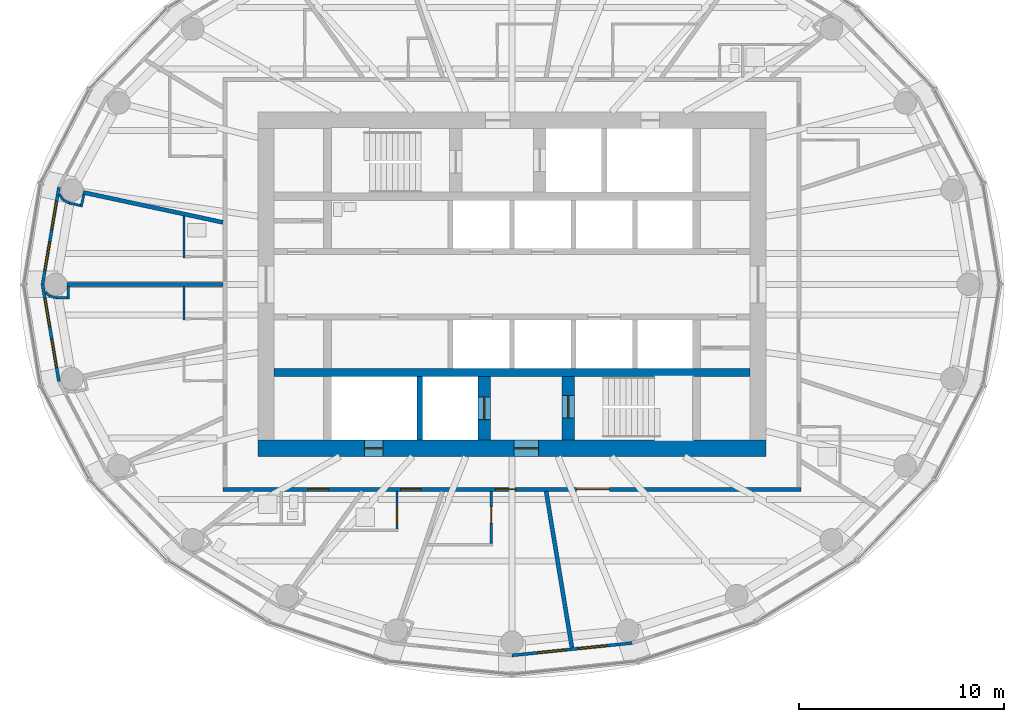
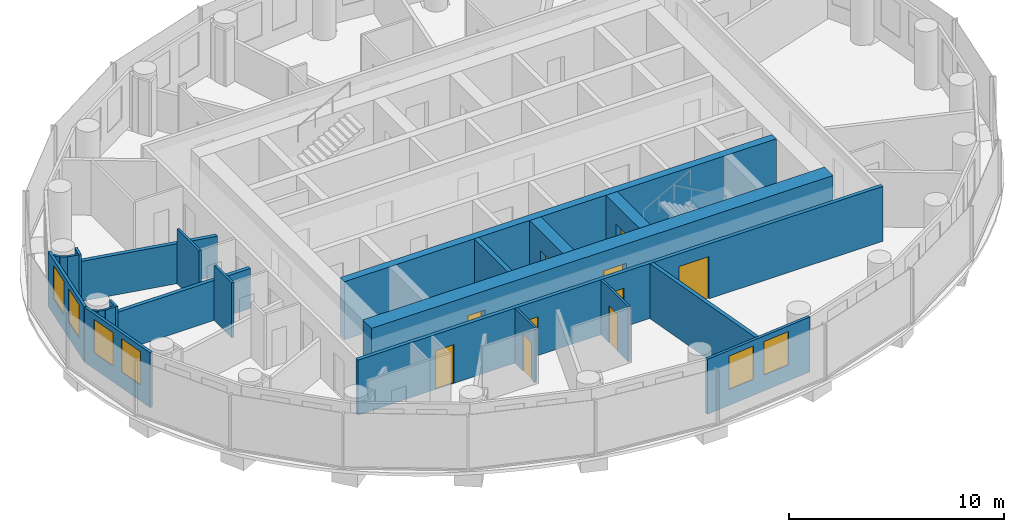
# One storey, part 8 of 16: 24 walls, 10 doors, 6 windows, 16 openings.
"""IFC4 building model written with IfcOpenShell, lengths in metres."""

from ifc_helpers import new_model, si_unit, direction, frame, frame_2d, origin, place, context, subcontext, project, spatial, rectangle, extrude, material, layer, layer_set, type_object, element, fill, save


model = new_model("IFC4")

# Units and contexts
model_context = context("Model", 3, precision=1e-05, world=origin(), true_north=direction((0.0, 1.0)))
body_context = subcontext(model_context, "Body", "Model", "MODEL_VIEW")
ifc_project = project(units=[si_unit("LENGTHUNIT", "METRE"), si_unit("AREAUNIT", "SQUARE_METRE"), si_unit("VOLUMEUNIT", "CUBIC_METRE"), si_unit("PLANEANGLEUNIT", "RADIAN"), si_unit("MASSUNIT", "GRAM", prefix="KILO")], contexts=[model_context])

# Site, building, storey
site_placement = place(None, origin())
site = spatial("IfcSite", under=ifc_project, at=site_placement, CompositionType="ELEMENT")
building_placement = place(site_placement, origin())
building = spatial("IfcBuilding", under=site, at=building_placement, Name="Hankou Lantern Tower", CompositionType="ELEMENT")
storey_placement = place(building_placement, frame((0.0, 0.0, 143.39990234375)))
storey = spatial("IfcBuildingStorey", under=building, at=storey_placement, Name="L37", CompositionType="ELEMENT", Elevation=143.39990234375)

# Wall, openings, doors
ifc_material_1 = material(Name="Concrete C60", Category="concrete")
ifc_layer_1 = layer(ifc_material_1, 0.800048828125)
ifc_layer_set_1 = layer_set([ifc_layer_1], Name="Concrete C60")
wall_type_1 = type_object("IfcWallType", Name="CW2 CORE WALL 800", PredefinedType="SHEAR", material=ifc_layer_set_1)
wall_1_placement = place(storey_placement, frame((12.39990234375, -8.0, 0.0), z_axis=(0.0, 0.0, 1.0), x_axis=(-1.0, 0.0, 0.0)))
wall_1 = element("IfcWall", 1, at=wall_1_placement, inside=storey, type_object=wall_type_1, Name="Core wall south L37", PredefinedType="SHEAR", context=body_context, shape_type="SweptSolid", body=[
    extrude(rectangle(XDim=24.7998046875, YDim=0.800048828125, at=frame_2d((12.39990234375, 0.0))), origin(), (0.0, 0.0, 1.0), 3.300048828125),
])
opening_1_placement = place(wall_1_placement, frame((11.10009765625, 0.0, 0.0)))
opening_1 = element("IfcOpeningElement", 2, at=opening_1_placement, cuts=wall_1, Name="Opening D5", PredefinedType="OPENING", context=body_context, shape_type="SweptSolid", body=[
    extrude(rectangle(XDim=1.199951171875, YDim=2.199951171875, at=frame_2d((0.60009765625, 1.10009765625))), frame((0.0, 0.409912109375, 0.0), z_axis=(0.0, -1.0, 0.0), x_axis=(1.0, 0.0, 0.0)), (0.0, 0.0, 1.0), 0.820068359375),
])
opening_2_placement = place(wall_1_placement, frame((18.699951171875, 0.0, 0.0)))
opening_2 = element("IfcOpeningElement", 3, at=opening_2_placement, cuts=wall_1, Name="Opening D7", PredefinedType="OPENING", context=body_context, shape_type="SweptSolid", body=[
    extrude(rectangle(XDim=0.89990234375, YDim=2.199951171875, at=frame_2d((0.449951171875, 1.10009765625))), frame((0.0, 0.409912109375, 0.0), z_axis=(0.0, -1.0, 0.0), x_axis=(1.0, 0.0, 0.0)), (0.0, 0.0, 1.0), 0.820068359375),
])
ifc_material_2 = material(Name="Steel door leaf", Category="steel")
door_type_1 = type_object("IfcDoorType", Name="D5 STAIR LOBBY DOOR 1200X2200", OperationType="SINGLE_SWING_LEFT", PredefinedType="DOOR", material=ifc_material_2)
door_1_placement = place(opening_1_placement, origin())
door_1 = element("IfcDoor", 4, at=door_1_placement, inside=storey, type_object=door_type_1, Name="Stair B lobby door", OperationType="SINGLE_SWING_LEFT", OverallHeight=2.199951171875, OverallWidth=1.199951171875, PredefinedType="DOOR", context=body_context, shape_type="SweptSolid", body=[
    extrude(rectangle(XDim=1.199951171875, YDim=2.199951171875, at=frame_2d((0.60009765625, 1.10009765625))), frame((0.0, 0.02490234375, 0.0), z_axis=(0.0, -1.0, 0.0), x_axis=(1.0, 0.0, 0.0)), (0.0, 0.0, 1.0), 0.050048828125),
])
fill(opening_1, door_1)
ifc_material_3 = material(Name="Steel door leaf", Category="steel")
door_type_2 = type_object("IfcDoorType", Name="D7 RISER DOOR 900X2200", OperationType="SINGLE_SWING_LEFT", PredefinedType="DOOR", material=ifc_material_3)
door_2_placement = place(opening_2_placement, origin())
door_2 = element("IfcDoor", 5, at=door_2_placement, inside=storey, type_object=door_type_2, Name="Riser S1 door", OperationType="SINGLE_SWING_RIGHT", OverallHeight=2.199951171875, OverallWidth=0.89990234375, PredefinedType="DOOR", context=body_context, shape_type="SweptSolid", body=[
    extrude(rectangle(XDim=0.89990234375, YDim=2.199951171875, at=frame_2d((0.449951171875, 1.10009765625))), frame((0.0, 0.02490234375, 0.0), z_axis=(0.0, -1.0, 0.0), x_axis=(1.0, 0.0, 0.0)), (0.0, 0.0, 1.0), 0.050048828125),
])
fill(opening_2, door_2)

# Wall
ifc_material_4 = material(Name="Concrete C60", Category="concrete")
ifc_layer_2 = layer(ifc_material_4, 0.39990234375)
ifc_layer_set_2 = layer_set([ifc_layer_2], Name="Concrete C60")
wall_type_2 = type_object("IfcWallType", Name="CW4 CORE CROSS WALL 400", PredefinedType="SHEAR", material=ifc_layer_set_2)
wall_2_placement = place(storey_placement, frame((-11.60009765625, -4.300048828125, 0.0), z_axis=(0.0, 0.0, 1.0), x_axis=(1.0, 0.0, 0.0)))
element("IfcWall", 6, at=wall_2_placement, inside=storey, type_object=wall_type_2, Name="Core band wall south L37", PredefinedType="SHEAR", context=body_context, shape_type="SweptSolid", body=[
    extrude(rectangle(XDim=23.2001953125, YDim=0.39990234375, at=frame_2d((11.60009765625, 0.0))), origin(), (0.0, 0.0, 1.0), 3.300048828125),
])

# Wall, opening, door
ifc_material_5 = material(Name="Concrete C60", Category="concrete")
ifc_layer_3 = layer(ifc_material_5, 0.60009765625)
ifc_layer_set_3 = layer_set([ifc_layer_3], Name="Concrete C60")
wall_type_3 = type_object("IfcWallType", Name="CW6 STAIR AND SHAFT WALL 600", PredefinedType="SHEAR", material=ifc_layer_set_3)
wall_3_placement = place(storey_placement, frame((2.75, -7.60009765625, 0.0), z_axis=(0.0, 0.0, 1.0), x_axis=(0.0, 1.0, 0.0)))
wall_3 = element("IfcWall", 7, at=wall_3_placement, inside=storey, type_object=wall_type_3, Name="Stair wall L37", PredefinedType="SHEAR", context=body_context, shape_type="SweptSolid", body=[
    extrude(rectangle(XDim=3.10009765625, YDim=0.60009765625, at=frame_2d((1.550048828125, 0.0))), origin(), (0.0, 0.0, 1.0), 3.300048828125),
])
opening_3_placement = place(wall_3_placement, frame((1.074951171875, 0.0, 0.0)))
opening_3 = element("IfcOpeningElement", 8, at=opening_3_placement, cuts=wall_3, Name="Opening D4", PredefinedType="OPENING", context=body_context, shape_type="SweptSolid", body=[
    extrude(rectangle(XDim=1.10009765625, YDim=2.199951171875, at=frame_2d((0.550048828125, 1.10009765625))), frame((0.0, 0.31005859375, 0.0), z_axis=(0.0, -1.0, 0.0), x_axis=(1.0, 0.0, 0.0)), (0.0, 0.0, 1.0), 0.6201171875),
])
ifc_material_6 = material(Name="Steel door leaf", Category="steel")
door_type_3 = type_object("IfcDoorType", Name="D4 STAIR DOOR 1100X2200", OperationType="SINGLE_SWING_LEFT", PredefinedType="DOOR", material=ifc_material_6)
door_3_placement = place(opening_3_placement, origin())
door_3 = element("IfcDoor", 9, at=door_3_placement, inside=storey, type_object=door_type_3, Name="Stair B door", OperationType="SINGLE_SWING_RIGHT", OverallHeight=2.199951171875, OverallWidth=1.10009765625, PredefinedType="DOOR", context=body_context, shape_type="SweptSolid", body=[
    extrude(rectangle(XDim=1.10009765625, YDim=2.199951171875, at=frame_2d((0.550048828125, 1.10009765625))), frame((0.0, 0.02490234375, 0.0), z_axis=(0.0, -1.0, 0.0), x_axis=(1.0, 0.0, 0.0)), (0.0, 0.0, 1.0), 0.050048828125),
])
fill(opening_3, door_3)

wall_4_placement = place(storey_placement, frame((-1.35009765625, -7.60009765625, 0.0), z_axis=(0.0, 0.0, 1.0), x_axis=(0.0, 1.0, 0.0)))
wall_4 = element("IfcWall", 10, at=wall_4_placement, inside=storey, type_object=wall_type_3, Name="Firefighting lift shaft wall L37", PredefinedType="SHEAR", context=body_context, shape_type="SweptSolid", body=[
    extrude(rectangle(XDim=3.10009765625, YDim=0.60009765625, at=frame_2d((1.550048828125, 0.0))), origin(), (0.0, 0.0, 1.0), 3.300048828125),
])
opening_4_placement = place(wall_4_placement, frame((1.0, 0.0, 0.0)))
opening_4 = element("IfcOpeningElement", 11, at=opening_4_placement, cuts=wall_4, Name="Opening LD2", PredefinedType="OPENING", context=body_context, shape_type="SweptSolid", body=[
    extrude(rectangle(XDim=1.10009765625, YDim=2.199951171875, at=frame_2d((0.550048828125, 1.10009765625))), frame((0.0, 0.31005859375, 0.0), z_axis=(0.0, -1.0, 0.0), x_axis=(1.0, 0.0, 0.0)), (0.0, 0.0, 1.0), 0.6201171875),
])
ifc_material_7 = material(Name="Steel door leaf", Category="steel")
door_type_4 = type_object("IfcDoorType", Name="LD2 FIREFIGHTING LIFT LANDING DOOR 1100X2200", OperationType="DOUBLE_DOOR_SLIDING", PredefinedType="DOOR", material=ifc_material_7)
door_4_placement = place(opening_4_placement, origin())
door_4 = element("IfcDoor", 12, at=door_4_placement, inside=storey, type_object=door_type_4, Name="Firefighting lift FL2 landing door", OperationType="DOUBLE_DOOR_SLIDING", OverallHeight=2.199951171875, OverallWidth=1.10009765625, PredefinedType="DOOR", context=body_context, shape_type="SweptSolid", body=[
    extrude(rectangle(XDim=1.10009765625, YDim=2.199951171875, at=frame_2d((0.550048828125, 1.10009765625))), frame((0.0, 0.02490234375, 0.0), z_axis=(0.0, -1.0, 0.0), x_axis=(1.0, 0.0, 0.0)), (0.0, 0.0, 1.0), 0.050048828125),
])
fill(opening_4, door_4)

# Wall, openings, windows
ifc_material_8 = material(Name="Aluminium spandrel panel on steel studs", Category="steel")
ifc_layer_4 = layer(ifc_material_8, 0.14990234375)
ifc_layer_set_4 = layer_set([ifc_layer_4], Name="Aluminium spandrel panel on steel studs")
wall_type_4 = type_object("IfcWallType", Name="EW1 INNER SKIN WALL 150", PredefinedType="ELEMENTEDWALL", material=ifc_layer_set_4)
wall_5_placement = place(storey_placement, frame((-22.1015625, 4.73779296875, 0.0), z_axis=(0.0, 0.0, 1.0), x_axis=(-0.166162111254, -0.986098449843, 0.0)))
wall_5 = element("IfcWall", 13, at=wall_5_placement, inside=storey, type_object=wall_type_4, Name="Inner skin R12-R13 L37", PredefinedType="ELEMENTEDWALL", context=body_context, shape_type="SweptSolid", body=[
    extrude(rectangle(XDim=4.8046875, YDim=0.14990234375, at=frame_2d((2.40234375, 0.0))), origin(), (0.0, 0.0, 1.0), 3.1201171875),
])
opening_5_placement = place(wall_5_placement, frame((0.7021484375, 0.0, 0.89990234375)))
opening_5 = element("IfcOpeningElement", 14, at=opening_5_placement, cuts=wall_5, Name="Opening W3", PredefinedType="OPENING", context=body_context, shape_type="SweptSolid", body=[
    extrude(rectangle(XDim=1.39990234375, YDim=1.89990234375, at=frame_2d((0.699951171875, 0.949951171875))), frame((0.0, 0.0849609375, 0.0), z_axis=(0.0, -1.0, 0.0), x_axis=(1.0, 0.0, 0.0)), (0.0, 0.0, 1.0), 0.169921875),
])
opening_6_placement = place(wall_5_placement, frame((2.7021484375, 0.0, 0.89990234375)))
opening_6 = element("IfcOpeningElement", 15, at=opening_6_placement, cuts=wall_5, Name="Opening W3", PredefinedType="OPENING", context=body_context, shape_type="SweptSolid", body=[
    extrude(rectangle(XDim=1.39990234375, YDim=1.89990234375, at=frame_2d((0.699951171875, 0.949951171875))), frame((0.0, 0.0849609375, 0.0), z_axis=(0.0, -1.0, 0.0), x_axis=(1.0, 0.0, 0.0)), (0.0, 0.0, 1.0), 0.169921875),
])
ifc_material_9 = material(Name="Aluminium framed double glazed window", Category="aluminium")
window_type = type_object("IfcWindowType", Name="W3 GUEST ROOM WINDOW 1400X1900", PartitioningType="DOUBLE_PANEL_VERTICAL", PredefinedType="WINDOW", material=ifc_material_9)
window_1_placement = place(opening_5_placement, origin())
window_1 = element("IfcWindow", 16, at=window_1_placement, inside=storey, type_object=window_type, Name="Window R12.1 L37", OverallHeight=1.89990234375, OverallWidth=1.39990234375, PartitioningType="SINGLE_PANEL", PredefinedType="WINDOW", context=body_context, shape_type="SweptSolid", body=[
    extrude(rectangle(XDim=1.39990234375, YDim=1.89990234375, at=frame_2d((0.699951171875, 0.949951171875))), frame((0.0, 0.030029296875, 0.0), z_axis=(0.0, -1.0, 0.0), x_axis=(1.0, 0.0, 0.0)), (0.0, 0.0, 1.0), 0.06005859375),
])
fill(opening_5, window_1)
window_2_placement = place(opening_6_placement, origin())
window_2 = element("IfcWindow", 17, at=window_2_placement, inside=storey, type_object=window_type, Name="Window R12.2 L37", OverallHeight=1.89990234375, OverallWidth=1.39990234375, PartitioningType="SINGLE_PANEL", PredefinedType="WINDOW", context=body_context, shape_type="SweptSolid", body=[
    extrude(rectangle(XDim=1.39990234375, YDim=1.89990234375, at=frame_2d((0.699951171875, 0.949951171875))), frame((0.0, 0.030029296875, 0.0), z_axis=(0.0, -1.0, 0.0), x_axis=(1.0, 0.0, 0.0)), (0.0, 0.0, 1.0), 0.06005859375),
])
fill(opening_6, window_2)

wall_6_placement = place(storey_placement, frame((-22.89990234375, 0.0, 0.0), z_axis=(0.0, 0.0, 1.0), x_axis=(0.166162111254, -0.986098449843, 0.0)))
wall_6 = element("IfcWall", 18, at=wall_6_placement, inside=storey, type_object=wall_type_4, Name="Inner skin R13-R14 L37", PredefinedType="ELEMENTEDWALL", context=body_context, shape_type="SweptSolid", body=[
    extrude(rectangle(XDim=4.8046875, YDim=0.14990234375, at=frame_2d((2.40234375, 0.0))), origin(), (0.0, 0.0, 1.0), 3.1201171875),
])
opening_7_placement = place(wall_6_placement, frame((0.7021484375, 0.0, 0.89990234375)))
opening_7 = element("IfcOpeningElement", 19, at=opening_7_placement, cuts=wall_6, Name="Opening W3", PredefinedType="OPENING", context=body_context, shape_type="SweptSolid", body=[
    extrude(rectangle(XDim=1.39990234375, YDim=1.89990234375, at=frame_2d((0.699951171875, 0.949951171875))), frame((0.0, 0.0849609375, 0.0), z_axis=(0.0, -1.0, 0.0), x_axis=(1.0, 0.0, 0.0)), (0.0, 0.0, 1.0), 0.169921875),
])
opening_8_placement = place(wall_6_placement, frame((2.7021484375, 0.0, 0.89990234375)))
opening_8 = element("IfcOpeningElement", 20, at=opening_8_placement, cuts=wall_6, Name="Opening W3", PredefinedType="OPENING", context=body_context, shape_type="SweptSolid", body=[
    extrude(rectangle(XDim=1.39990234375, YDim=1.89990234375, at=frame_2d((0.699951171875, 0.949951171875))), frame((0.0, 0.0849609375, 0.0), z_axis=(0.0, -1.0, 0.0), x_axis=(1.0, 0.0, 0.0)), (0.0, 0.0, 1.0), 0.169921875),
])
window_3_placement = place(opening_7_placement, origin())
window_3 = element("IfcWindow", 21, at=window_3_placement, inside=storey, type_object=window_type, Name="Window R13.1 L37", OverallHeight=1.89990234375, OverallWidth=1.39990234375, PartitioningType="SINGLE_PANEL", PredefinedType="WINDOW", context=body_context, shape_type="SweptSolid", body=[
    extrude(rectangle(XDim=1.39990234375, YDim=1.89990234375, at=frame_2d((0.699951171875, 0.949951171875))), frame((0.0, 0.030029296875, 0.0), z_axis=(0.0, -1.0, 0.0), x_axis=(1.0, 0.0, 0.0)), (0.0, 0.0, 1.0), 0.06005859375),
])
fill(opening_7, window_3)
window_4_placement = place(opening_8_placement, origin())
window_4 = element("IfcWindow", 22, at=window_4_placement, inside=storey, type_object=window_type, Name="Window R13.2 L37", OverallHeight=1.89990234375, OverallWidth=1.39990234375, PartitioningType="SINGLE_PANEL", PredefinedType="WINDOW", context=body_context, shape_type="SweptSolid", body=[
    extrude(rectangle(XDim=1.39990234375, YDim=1.89990234375, at=frame_2d((0.699951171875, 0.949951171875))), frame((0.0, 0.030029296875, 0.0), z_axis=(0.0, -1.0, 0.0), x_axis=(1.0, 0.0, 0.0)), (0.0, 0.0, 1.0), 0.06005859375),
])
fill(opening_8, window_4)

wall_7_placement = place(storey_placement, frame((0.0, -18.10009765625, 0.0), z_axis=(0.0, 0.0, 1.0), x_axis=(0.994751738032, 0.102318032045, 0.0)))
wall_7 = element("IfcWall", 23, at=wall_7_placement, inside=storey, type_object=wall_type_4, Name="Inner skin R19-R20 L37", PredefinedType="ELEMENTEDWALL", context=body_context, shape_type="SweptSolid", body=[
    extrude(rectangle(XDim=5.891357421875, YDim=0.14990234375, at=frame_2d((2.94580078125, 0.0))), origin(), (0.0, 0.0, 1.0), 3.1201171875),
])
opening_9_placement = place(wall_7_placement, frame((1.24560546875, 0.0, 0.89990234375)))
opening_9 = element("IfcOpeningElement", 24, at=opening_9_placement, cuts=wall_7, Name="Opening W3", PredefinedType="OPENING", context=body_context, shape_type="SweptSolid", body=[
    extrude(rectangle(XDim=1.39990234375, YDim=1.89990234375, at=frame_2d((0.699951171875, 0.949951171875))), frame((0.0, 0.0849609375, 0.0), z_axis=(0.0, -1.0, 0.0), x_axis=(1.0, 0.0, 0.0)), (0.0, 0.0, 1.0), 0.169921875),
])
opening_10_placement = place(wall_7_placement, frame((3.24560546875, 0.0, 0.89990234375)))
opening_10 = element("IfcOpeningElement", 25, at=opening_10_placement, cuts=wall_7, Name="Opening W3", PredefinedType="OPENING", context=body_context, shape_type="SweptSolid", body=[
    extrude(rectangle(XDim=1.39990234375, YDim=1.89990234375, at=frame_2d((0.699951171875, 0.949951171875))), frame((0.0, 0.0849609375, 0.0), z_axis=(0.0, -1.0, 0.0), x_axis=(1.0, 0.0, 0.0)), (0.0, 0.0, 1.0), 0.169921875),
])
window_5_placement = place(opening_9_placement, origin())
window_5 = element("IfcWindow", 26, at=window_5_placement, inside=storey, type_object=window_type, Name="Window R19.1 L37", OverallHeight=1.89990234375, OverallWidth=1.39990234375, PartitioningType="SINGLE_PANEL", PredefinedType="WINDOW", context=body_context, shape_type="SweptSolid", body=[
    extrude(rectangle(XDim=1.39990234375, YDim=1.89990234375, at=frame_2d((0.699951171875, 0.949951171875))), frame((0.0, 0.030029296875, 0.0), z_axis=(0.0, -1.0, 0.0), x_axis=(1.0, 0.0, 0.0)), (0.0, 0.0, 1.0), 0.06005859375),
])
fill(opening_9, window_5)
window_6_placement = place(opening_10_placement, origin())
window_6 = element("IfcWindow", 27, at=window_6_placement, inside=storey, type_object=window_type, Name="Window R19.2 L37", OverallHeight=1.89990234375, OverallWidth=1.39990234375, PartitioningType="SINGLE_PANEL", PredefinedType="WINDOW", context=body_context, shape_type="SweptSolid", body=[
    extrude(rectangle(XDim=1.39990234375, YDim=1.89990234375, at=frame_2d((0.699951171875, 0.949951171875))), frame((0.0, 0.030029296875, 0.0), z_axis=(0.0, -1.0, 0.0), x_axis=(1.0, 0.0, 0.0)), (0.0, 0.0, 1.0), 0.06005859375),
])
fill(opening_10, window_6)

# Wall, openings, doors
ifc_material_10 = material(Name="Masonry lightweight concrete block", Category="masonry")
ifc_layer_5 = layer(ifc_material_10, 0.199951171875)
ifc_layer_set_5 = layer_set([ifc_layer_5], Name="Masonry lightweight concrete block")
wall_type_5 = type_object("IfcWallType", Name="IW2 CORRIDOR WALL 200", PredefinedType="PARTITIONING", material=ifc_layer_set_5)
wall_8_placement = place(storey_placement, frame((14.10009765625, -10.0, 0.0), z_axis=(0.0, 0.0, 1.0), x_axis=(-1.0, 0.0, 0.0)))
wall_8 = element("IfcWall", 28, at=wall_8_placement, inside=storey, type_object=wall_type_5, Name="Corridor wall south", PredefinedType="PARTITIONING", context=body_context, shape_type="SweptSolid", body=[
    extrude(rectangle(XDim=28.2001953125, YDim=0.199951171875, at=frame_2d((14.10009765625, 0.0))), origin(), (0.0, 0.0, 1.0), 3.1201171875),
])
opening_11_placement = place(wall_8_placement, frame((23.044921875, 0.0, 0.0)))
opening_11 = element("IfcOpeningElement", 29, at=opening_11_placement, cuts=wall_8, Name="Opening D13", PredefinedType="OPENING", context=body_context, shape_type="SweptSolid", body=[
    extrude(rectangle(XDim=1.0, YDim=2.199951171875, at=frame_2d((0.5, 1.10009765625))), frame((0.0, 0.10986328125, 0.0), z_axis=(0.0, -1.0, 0.0), x_axis=(1.0, 0.0, 0.0)), (0.0, 0.0, 1.0), 0.219970703125),
])
opening_12_placement = place(wall_8_placement, frame((18.529052734375, 0.0, 0.0)))
opening_12 = element("IfcOpeningElement", 30, at=opening_12_placement, cuts=wall_8, Name="Opening D13", PredefinedType="OPENING", context=body_context, shape_type="SweptSolid", body=[
    extrude(rectangle(XDim=1.0, YDim=2.199951171875, at=frame_2d((0.5, 1.10009765625))), frame((0.0, 0.10986328125, 0.0), z_axis=(0.0, -1.0, 0.0), x_axis=(1.0, 0.0, 0.0)), (0.0, 0.0, 1.0), 0.219970703125),
])
opening_13_placement = place(wall_8_placement, frame((13.9228515625, 0.0, 0.0)))
opening_13 = element("IfcOpeningElement", 31, at=opening_13_placement, cuts=wall_8, Name="Opening D1", PredefinedType="OPENING", context=body_context, shape_type="SweptSolid", body=[
    extrude(rectangle(XDim=1.0, YDim=2.199951171875, at=frame_2d((0.5, 1.10009765625))), frame((0.0, 0.10986328125, 0.0), z_axis=(0.0, -1.0, 0.0), x_axis=(1.0, 0.0, 0.0)), (0.0, 0.0, 1.0), 0.219970703125),
])
opening_14_placement = place(wall_8_placement, frame((9.35009765625, 0.0, 0.0)))
opening_14 = element("IfcOpeningElement", 32, at=opening_14_placement, cuts=wall_8, Name="Opening D29", PredefinedType="OPENING", context=body_context, shape_type="SweptSolid", body=[
    extrude(rectangle(XDim=1.60009765625, YDim=2.39990234375, at=frame_2d((0.800048828125, 1.199951171875))), frame((0.0, 0.10986328125, 0.0), z_axis=(0.0, -1.0, 0.0), x_axis=(1.0, 0.0, 0.0)), (0.0, 0.0, 1.0), 0.219970703125),
])
ifc_material_11 = material(Name="Steel door leaf", Category="steel")
door_type_5 = type_object("IfcDoorType", Name="D1 GUEST ROOM DOOR 1000X2200", OperationType="SINGLE_SWING_LEFT", PredefinedType="DOOR", material=ifc_material_11)
door_5_placement = place(opening_13_placement, origin())
door_5 = element("IfcDoor", 33, at=door_5_placement, inside=storey, type_object=door_type_5, Name="Guest room door 3707", OperationType="SINGLE_SWING_RIGHT", OverallHeight=2.199951171875, OverallWidth=1.0, PredefinedType="DOOR", context=body_context, shape_type="SweptSolid", body=[
    extrude(rectangle(XDim=1.0, YDim=2.199951171875, at=frame_2d((0.5, 1.10009765625))), frame((0.0, 0.02490234375, 0.0), z_axis=(0.0, -1.0, 0.0), x_axis=(1.0, 0.0, 0.0)), (0.0, 0.0, 1.0), 0.050048828125),
])
fill(opening_13, door_5)
ifc_material_12 = material(Name="Timber door leaf", Category="wood")
door_type_6 = type_object("IfcDoorType", Name="D13 ROOM DOOR 1000X2200", OperationType="SINGLE_SWING_LEFT", PredefinedType="DOOR", material=ifc_material_12)
door_6_placement = place(opening_11_placement, origin())
door_6 = element("IfcDoor", 34, at=door_6_placement, inside=storey, type_object=door_type_6, Name="Room door 3705", OperationType="SINGLE_SWING_RIGHT", OverallHeight=2.199951171875, OverallWidth=1.0, PredefinedType="DOOR", context=body_context, shape_type="SweptSolid", body=[
    extrude(rectangle(XDim=1.0, YDim=2.199951171875, at=frame_2d((0.5, 1.10009765625))), frame((0.0, 0.02490234375, 0.0), z_axis=(0.0, -1.0, 0.0), x_axis=(1.0, 0.0, 0.0)), (0.0, 0.0, 1.0), 0.050048828125),
])
fill(opening_11, door_6)
door_7_placement = place(opening_12_placement, origin())
door_7 = element("IfcDoor", 35, at=door_7_placement, inside=storey, type_object=door_type_6, Name="Room door 3706", OperationType="SINGLE_SWING_RIGHT", OverallHeight=2.199951171875, OverallWidth=1.0, PredefinedType="DOOR", context=body_context, shape_type="SweptSolid", body=[
    extrude(rectangle(XDim=1.0, YDim=2.199951171875, at=frame_2d((0.5, 1.10009765625))), frame((0.0, 0.02490234375, 0.0), z_axis=(0.0, -1.0, 0.0), x_axis=(1.0, 0.0, 0.0)), (0.0, 0.0, 1.0), 0.050048828125),
])
fill(opening_12, door_7)
ifc_material_13 = material(Name="Steel door leaf", Category="steel")
door_type_7 = type_object("IfcDoorType", Name="D29 LOUNGE DOUBLE DOOR 1600X2400", OperationType="DOUBLE_DOOR_DOUBLE_SWING", PredefinedType="DOOR", material=ifc_material_13)
door_8_placement = place(opening_14_placement, origin())
door_8 = element("IfcDoor", 36, at=door_8_placement, inside=storey, type_object=door_type_7, Name="Lounge door 3708", OperationType="DOUBLE_DOOR_DOUBLE_SWING", OverallHeight=2.39990234375, OverallWidth=1.60009765625, PredefinedType="DOOR", context=body_context, shape_type="SweptSolid", body=[
    extrude(rectangle(XDim=1.60009765625, YDim=2.39990234375, at=frame_2d((0.800048828125, 1.199951171875))), frame((0.0, 0.02490234375, 0.0), z_axis=(0.0, -1.0, 0.0), x_axis=(1.0, 0.0, 0.0)), (0.0, 0.0, 1.0), 0.050048828125),
])
fill(opening_14, door_8)

# Walls
ifc_material_14 = material(Name="Masonry lightweight concrete block", Category="masonry")
ifc_layer_6 = layer(ifc_material_14, 0.1201171875)
ifc_layer_set_6 = layer_set([ifc_layer_6], Name="Masonry lightweight concrete block")
wall_type_6 = type_object("IfcWallType", Name="IW3 BATHROOM WALL 120", PredefinedType="PARTITIONING", material=ifc_layer_set_6)
wall_9_placement = place(storey_placement, frame((-16.0, 3.329833984375, 0.0), z_axis=(0.0, 0.0, 1.0), x_axis=(0.0, -1.0, 0.0)))
element("IfcWall", 37, at=wall_9_placement, inside=storey, type_object=wall_type_6, Name="Box wall 3701 1", PredefinedType="PARTITIONING", context=body_context, shape_type="SweptSolid", body=[
    extrude(rectangle(XDim=2.04736328125, YDim=0.1201171875, at=frame_2d((1.023681640625, 0.0))), origin(), (0.0, 0.0, 1.0), 3.1201171875),
])
wall_10_placement = place(storey_placement, frame((-16.0, -0.10009765625, 0.0), z_axis=(0.0, 0.0, 1.0), x_axis=(0.0, -1.0, 0.0)))
element("IfcWall", 38, at=wall_10_placement, inside=storey, type_object=wall_type_6, Name="Box wall 3702 1", PredefinedType="PARTITIONING", context=body_context, shape_type="SweptSolid", body=[
    extrude(rectangle(XDim=1.639892578125, YDim=0.1201171875, at=frame_2d((0.81982421875, 0.0))), origin(), (0.0, 0.0, 1.0), 3.1201171875),
])

# Wall, opening, door
wall_11_placement = place(storey_placement, frame((-5.609130859375, -10.10009765625, 0.0), z_axis=(0.0, 0.0, 1.0), x_axis=(0.0, -1.0, 0.0)))
wall_11 = element("IfcWall", 39, at=wall_11_placement, inside=storey, type_object=wall_type_6, Name="Box wall 3706 1", PredefinedType="PARTITIONING", context=body_context, shape_type="SweptSolid", body=[
    extrude(rectangle(XDim=1.83984375, YDim=0.1201171875, at=frame_2d((0.919921875, 0.0))), origin(), (0.0, 0.0, 1.0), 3.1201171875),
])
opening_15_placement = place(wall_11_placement, frame((0.75, 0.0, 0.0)))
opening_15 = element("IfcOpeningElement", 40, at=opening_15_placement, cuts=wall_11, Name="Opening D3", PredefinedType="OPENING", context=body_context, shape_type="SweptSolid", body=[
    extrude(rectangle(XDim=0.800048828125, YDim=2.10009765625, at=frame_2d((0.39990234375, 1.050048828125))), frame((0.0, 0.070068359375, 0.0), z_axis=(0.0, -1.0, 0.0), x_axis=(1.0, 0.0, 0.0)), (0.0, 0.0, 1.0), 0.14013671875),
])
ifc_material_15 = material(Name="Timber door leaf", Category="wood")
door_type_8 = type_object("IfcDoorType", Name="D3 BATHROOM DOOR 800X2100", OperationType="SINGLE_SWING_LEFT", PredefinedType="DOOR", material=ifc_material_15)
door_9_placement = place(opening_15_placement, origin())
door_9 = element("IfcDoor", 41, at=door_9_placement, inside=storey, type_object=door_type_8, Name="Spa treatment room 3706 shower room door", OperationType="SINGLE_SWING_LEFT", OverallHeight=2.10009765625, OverallWidth=0.800048828125, PredefinedType="DOOR", context=body_context, shape_type="SweptSolid", body=[
    extrude(rectangle(XDim=0.800048828125, YDim=2.10009765625, at=frame_2d((0.39990234375, 1.050048828125))), frame((0.0, 0.02490234375, 0.0), z_axis=(0.0, -1.0, 0.0), x_axis=(1.0, 0.0, 0.0)), (0.0, 0.0, 1.0), 0.050048828125),
])
fill(opening_15, door_9)

wall_12_placement = place(storey_placement, frame((-1.0029296875, -10.10009765625, 0.0), z_axis=(0.0, 0.0, 1.0), x_axis=(0.0, -1.0, 0.0)))
wall_12 = element("IfcWall", 42, at=wall_12_placement, inside=storey, type_object=wall_type_6, Name="Box wall 3707 1", PredefinedType="PARTITIONING", context=body_context, shape_type="SweptSolid", body=[
    extrude(rectangle(XDim=2.539794921875, YDim=0.1201171875, at=frame_2d((1.27001953125, 0.0))), origin(), (0.0, 0.0, 1.0), 3.1201171875),
])
opening_16_placement = place(wall_12_placement, frame((0.75, 0.0, 0.0)))
opening_16 = element("IfcOpeningElement", 43, at=opening_16_placement, cuts=wall_12, Name="Opening D3", PredefinedType="OPENING", context=body_context, shape_type="SweptSolid", body=[
    extrude(rectangle(XDim=0.800048828125, YDim=2.10009765625, at=frame_2d((0.39990234375, 1.050048828125))), frame((0.0, 0.070068359375, 0.0), z_axis=(0.0, -1.0, 0.0), x_axis=(1.0, 0.0, 0.0)), (0.0, 0.0, 1.0), 0.14013671875),
])
door_10_placement = place(opening_16_placement, origin())
door_10 = element("IfcDoor", 44, at=door_10_placement, inside=storey, type_object=door_type_8, Name="En-suite bathroom 3707 door", OperationType="SINGLE_SWING_LEFT", OverallHeight=2.10009765625, OverallWidth=0.800048828125, PredefinedType="DOOR", context=body_context, shape_type="SweptSolid", body=[
    extrude(rectangle(XDim=0.800048828125, YDim=2.10009765625, at=frame_2d((0.39990234375, 1.050048828125))), frame((0.0, 0.02490234375, 0.0), z_axis=(0.0, -1.0, 0.0), x_axis=(1.0, 0.0, 0.0)), (0.0, 0.0, 1.0), 0.050048828125),
])
fill(opening_16, door_10)

# Walls
ifc_material_16 = material(Name="Masonry lightweight concrete block", Category="masonry")
ifc_layer_7 = layer(ifc_material_16, 0.1201171875)
ifc_layer_set_7 = layer_set([ifc_layer_7], Name="Masonry lightweight concrete block")
wall_type_7 = type_object("IfcWallType", Name="IW4 PARTITION 120", PredefinedType="PARTITIONING", material=ifc_layer_set_7)
wall_13_placement = place(storey_placement, frame((-20.88720703125, 4.375, 0.0), z_axis=(0.0, 0.0, 1.0), x_axis=(-0.209746941802, -0.977755705892, 0.0)))
element("IfcWall", 45, at=wall_13_placement, inside=storey, type_object=wall_type_7, Name="Column casing R12 return", PredefinedType="PARTITIONING", context=body_context, shape_type="SweptSolid", body=[
    extrude(rectangle(XDim=0.6123046875, YDim=0.1201171875, at=frame_2d((0.30615234375, 0.0))), origin(), (0.0, 0.0, 1.0), 3.1201171875),
])
wall_14_placement = place(storey_placement, frame((-21.061767578125, 3.84765625, 0.0), z_axis=(0.0, 0.0, 1.0), x_axis=(-0.977789415726, 0.209589738521, 0.0)))
element("IfcWall", 46, at=wall_14_placement, inside=storey, type_object=wall_type_7, Name="Column casing R12", PredefinedType="PARTITIONING", context=body_context, shape_type="SweptSolid", body=[
    extrude(rectangle(XDim=0.5498046875, YDim=0.1201171875, at=frame_2d((0.27490234375, 0.0))), origin(), (0.0, 0.0, 1.0), 3.1201171875),
])
wall_15_placement = place(storey_placement, frame((-21.599365234375, 3.962890625, 0.0), z_axis=(0.0, 0.0, 1.0), x_axis=(-0.890193602875, 0.455582428766, 0.0)))
element("IfcWall", 47, at=wall_15_placement, inside=storey, type_object=wall_type_7, Name="Column casing R12", PredefinedType="PARTITIONING", context=body_context, shape_type="SweptSolid", body=[
    extrude(rectangle(XDim=0.337646484375, YDim=0.1201171875, at=frame_2d((0.1689453125, 0.0))), origin(), (0.0, 0.0, 1.0), 3.1201171875),
])
wall_16_placement = place(storey_placement, frame((-21.89990234375, 4.11669921875, 0.0), z_axis=(0.0, 0.0, 1.0), x_axis=(-0.543582688681, 0.839355622228, 0.0)))
element("IfcWall", 48, at=wall_16_placement, inside=storey, type_object=wall_type_7, Name="Column casing R12", PredefinedType="PARTITIONING", context=body_context, shape_type="SweptSolid", body=[
    extrude(rectangle(XDim=0.3359375, YDim=0.1201171875, at=frame_2d((0.16796875, 0.0))), origin(), (0.0, 0.0, 1.0), 3.1201171875),
])
wall_17_placement = place(storey_placement, frame((-21.639892578125, -0.10009765625, 0.0), z_axis=(0.0, 0.0, 1.0), x_axis=(0.0, -1.0, 0.0)))
element("IfcWall", 49, at=wall_17_placement, inside=storey, type_object=wall_type_7, Name="Column casing R13 return", PredefinedType="PARTITIONING", context=body_context, shape_type="SweptSolid", body=[
    extrude(rectangle(XDim=0.612060546875, YDim=0.1201171875, at=frame_2d((0.30615234375, 0.0))), origin(), (0.0, 0.0, 1.0), 3.1201171875),
])
wall_18_placement = place(storey_placement, frame((-21.699951171875, -0.65234375, 0.0), z_axis=(0.0, 0.0, 1.0), x_axis=(-1.0, 0.0, 0.0)))
element("IfcWall", 50, at=wall_18_placement, inside=storey, type_object=wall_type_7, Name="Column casing R13", PredefinedType="PARTITIONING", context=body_context, shape_type="SweptSolid", body=[
    extrude(rectangle(XDim=0.550048828125, YDim=0.1201171875, at=frame_2d((0.27490234375, 0.0))), origin(), (0.0, 0.0, 1.0), 3.1201171875),
])
wall_19_placement = place(storey_placement, frame((-22.25, -0.65234375, 0.0), z_axis=(0.0, 0.0, 1.0), x_axis=(-0.965922233104, 0.258832454679, 0.0)))
element("IfcWall", 51, at=wall_19_placement, inside=storey, type_object=wall_type_7, Name="Column casing R13", PredefinedType="PARTITIONING", context=body_context, shape_type="SweptSolid", body=[
    extrude(rectangle(XDim=0.337646484375, YDim=0.1201171875, at=frame_2d((0.1689453125, 0.0))), origin(), (0.0, 0.0, 1.0), 3.1201171875),
])
wall_20_placement = place(storey_placement, frame((-22.576171875, -0.56494140625, 0.0), z_axis=(0.0, 0.0, 1.0), x_axis=(-0.706639272724, 0.707573980757, 0.0)))
element("IfcWall", 52, at=wall_20_placement, inside=storey, type_object=wall_type_7, Name="Column casing R13", PredefinedType="PARTITIONING", context=body_context, shape_type="SweptSolid", body=[
    extrude(rectangle(XDim=0.26123046875, YDim=0.1201171875, at=frame_2d((0.130615234375, 0.0))), origin(), (0.0, 0.0, 1.0), 3.1201171875),
])
ifc_material_17 = material(Name="Masonry lightweight concrete block", Category="masonry")
ifc_layer_8 = layer(ifc_material_17, 0.199951171875)
ifc_layer_set_8 = layer_set([ifc_layer_8], Name="Masonry lightweight concrete block")
wall_type_8 = type_object("IfcWallType", Name="IW8 PARTITION 200", PredefinedType="PARTITIONING", material=ifc_layer_set_8)
wall_21_placement = place(storey_placement, frame((-14.10009765625, 3.0224609375, 0.0), z_axis=(0.0, 0.0, 1.0), x_axis=(-0.977790639684, 0.209584028367, 0.0)))
element("IfcWall", 53, at=wall_21_placement, inside=storey, type_object=wall_type_8, Name="Partition R12", PredefinedType="PARTITIONING", context=body_context, shape_type="SweptSolid", body=[
    extrude(rectangle(XDim=6.97998046875, YDim=0.199951171875, at=frame_2d((3.489990234375, 0.0))), origin(), (0.0, 0.0, 1.0), 2.27001953125),
])
wall_22_placement = place(storey_placement, frame((-14.10009765625, 0.0, 0.0), z_axis=(0.0, 0.0, 1.0), x_axis=(-1.0, 0.0, 0.0)))
element("IfcWall", 54, at=wall_22_placement, inside=storey, type_object=wall_type_8, Name="Partition R13", PredefinedType="PARTITIONING", context=body_context, shape_type="SweptSolid", body=[
    extrude(rectangle(XDim=7.599853515625, YDim=0.199951171875, at=frame_2d((3.7998046875, 0.0))), origin(), (0.0, 0.0, 1.0), 2.27001953125),
])
wall_23_placement = place(storey_placement, frame((1.66552734375, -10.10009765625, 0.0), z_axis=(0.0, 0.0, 1.0), x_axis=(0.162669562982, -0.986680603478, 0.0)))
element("IfcWall", 55, at=wall_23_placement, inside=storey, type_object=wall_type_8, Name="Partition R19-R20", PredefinedType="PARTITIONING", context=body_context, shape_type="SweptSolid", body=[
    extrude(rectangle(XDim=7.7158203125, YDim=0.199951171875, at=frame_2d((3.85791015625, 0.0))), origin(), (0.0, 0.0, 1.0), 3.1201171875),
])
ifc_material_18 = material(Name="Masonry autoclaved aerated concrete block", Category="masonry")
ifc_layer_9 = layer(ifc_material_18, 0.25)
ifc_layer_set_9 = layer_set([ifc_layer_9], Name="Masonry autoclaved aerated concrete block")
wall_type_9 = type_object("IfcWallType", Name="SW1 SHAFT BLOCK WALL 250", PredefinedType="PARTITIONING", material=ifc_layer_set_9)
wall_24_placement = place(storey_placement, frame((-4.5, -7.60009765625, 0.0), z_axis=(0.0, 0.0, 1.0), x_axis=(0.0, 1.0, 0.0)))
element("IfcWall", 56, at=wall_24_placement, inside=storey, type_object=wall_type_9, Name="Riser wall L37", PredefinedType="PARTITIONING", context=body_context, shape_type="SweptSolid", body=[
    extrude(rectangle(XDim=3.10009765625, YDim=0.25, at=frame_2d((1.550048828125, 0.0))), origin(), (0.0, 0.0, 1.0), 3.300048828125),
])

save(model, "model.ifc")
